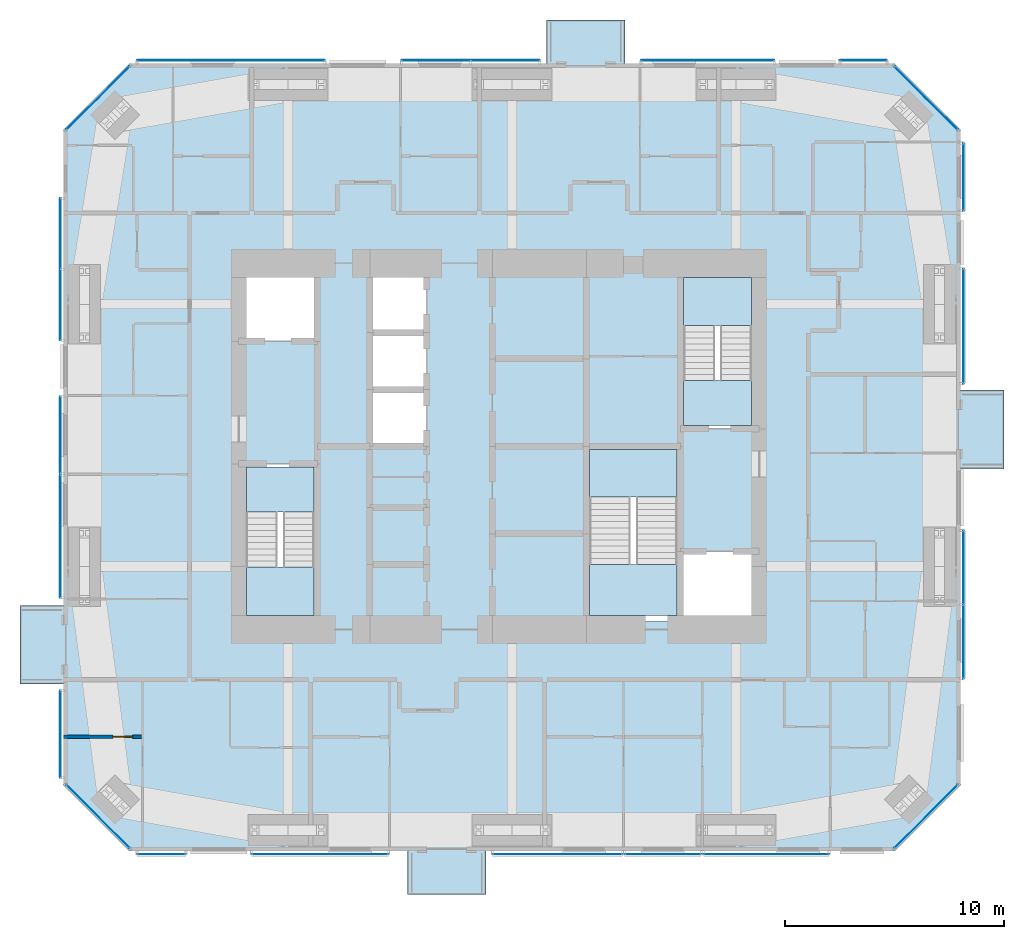
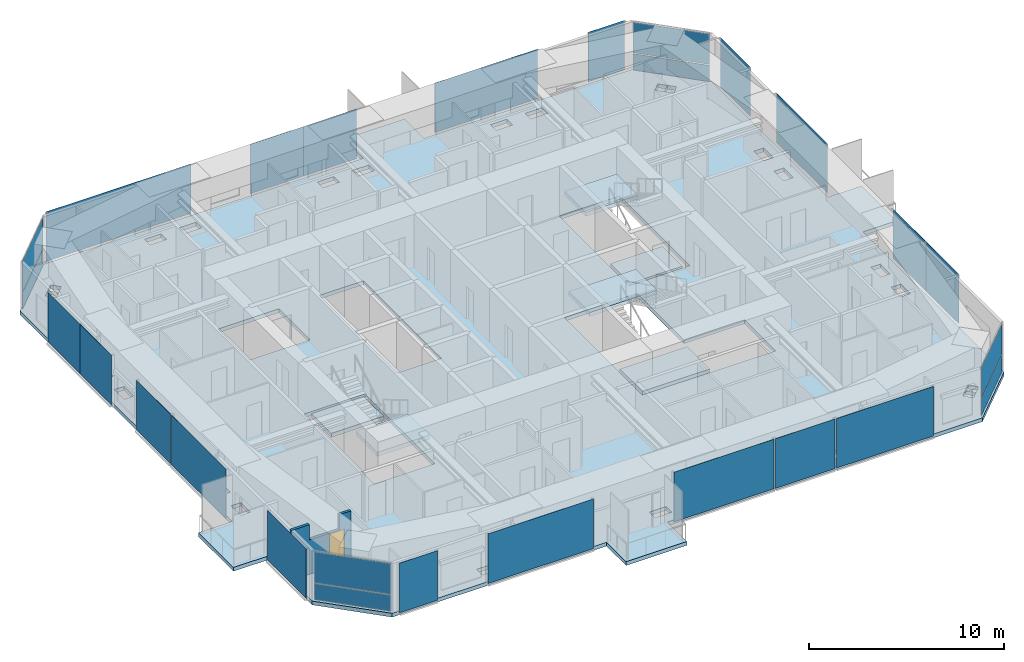
# One storey, part 15 of 23: 27 plates, 7 slabs, 1 door, 1 wall, 1 opening, 23 elements without a shape of their own.
"""IFC4 building model written with IfcOpenShell, lengths in metres."""

from ifc_helpers import new_model, si_unit, direction, frame, frame_2d, origin, origin_2d, place, context, subcontext, project, spatial, polyline, rectangle, outline, extrude, material, layer, layer_set, constituent, constituent_set, type_object, element, fill, aggregate, save


model = new_model("IFC4")

# Units and contexts
model_context = context("Model", 3, precision=1e-05, world=origin(), true_north=direction((0.0, 1.0)))
body_context = subcontext(model_context, "Body", "Model", "MODEL_VIEW")
ifc_project = project(units=[si_unit("LENGTHUNIT", "METRE"), si_unit("AREAUNIT", "SQUARE_METRE"), si_unit("VOLUMEUNIT", "CUBIC_METRE"), si_unit("PLANEANGLEUNIT", "RADIAN"), si_unit("MASSUNIT", "GRAM", prefix="KILO")], contexts=[model_context])

# Site, building, storey
site_placement = place(None, origin())
site = spatial("IfcSite", under=ifc_project, at=site_placement, CompositionType="ELEMENT")
building_placement = place(site_placement, origin())
building = spatial("IfcBuilding", under=site, at=building_placement, Name="Jalousie Tower", CompositionType="ELEMENT")
storey_placement = place(building_placement, frame((0.0, 0.0, 184.5)))
storey = spatial("IfcBuildingStorey", under=building, at=storey_placement, Name="L50", CompositionType="ELEMENT", Elevation=184.5)

# Curtain wall, plates
ifc_material_1 = material(Name="Aluminium curtain wall", Category="aluminium")
curtain_wall_type_1 = type_object("IfcCurtainWallType", Name="CORNER WINDOW WALL", PredefinedType="USERDEFINED", material=ifc_material_1)
curtain_wall_1_placement = place(storey_placement, origin())
curtain_wall_1 = element("IfcCurtainWall", 1, at=curtain_wall_1_placement, inside=storey, type_object=curtain_wall_type_1, Name="Corner Window Wall L50 2", ObjectType="CORNER WINDOW WALL", PredefinedType="USERDEFINED")
ifc_material_2 = material(Name="Laminated impact-rated spandrel glass", Category="glass")
ifc_layer_1 = layer(ifc_material_2, 0.028076171875)
ifc_layer_set_1 = layer_set([ifc_layer_1], Name="Laminated impact-rated spandrel glass")
plate_type_1 = type_object("IfcPlateType", Name="CORNER WINDOW WALL PANEL", PredefinedType="CURTAIN_PANEL", material=ifc_layer_set_1)
plate_1_placement = place(storey_placement, frame((51.4306640625, 1.5693359375, 0.06005859375), z_axis=(0.0, 0.0, 1.0), x_axis=(0.707106781187, 0.707106781187, 0.0)))
plate_1 = element("IfcPlate", 2, at=plate_1_placement, type_object=plate_type_1, Name="CW-C panel 1.1", PredefinedType="CURTAIN_PANEL", context=body_context, shape_type="SweptSolid", body=[
    extrude(rectangle(XDim=4.071533203125, YDim=0.028076171875, at=origin_2d()), origin(), (0.0, 0.0, 1.0), 1.010009765625),
])
plate_2_placement = place(storey_placement, frame((51.4306640625, 1.5693359375, 1.130126953125), z_axis=(0.0, 0.0, 1.0), x_axis=(0.707106781187, 0.707106781187, 0.0)))
plate_2 = element("IfcPlate", 3, at=plate_2_placement, type_object=plate_type_1, Name="CW-C panel 1.2", PredefinedType="CURTAIN_PANEL", context=body_context, shape_type="SweptSolid", body=[
    extrude(rectangle(XDim=4.071533203125, YDim=0.028076171875, at=origin_2d()), origin(), (0.0, 0.0, 1.0), 1.919921875),
])
aggregate(curtain_wall_1, [plate_1, plate_2])

curtain_wall_2_placement = place(storey_placement, origin())
curtain_wall_2 = element("IfcCurtainWall", 4, at=curtain_wall_2_placement, inside=storey, type_object=curtain_wall_type_1, Name="Corner Window Wall L50 4", ObjectType="CORNER WINDOW WALL", PredefinedType="USERDEFINED")
plate_3_placement = place(storey_placement, frame((51.4306640625, 34.4306640625, 0.06005859375), z_axis=(0.0, 0.0, 1.0), x_axis=(-0.707106781187, 0.707106781187, 0.0)))
plate_3 = element("IfcPlate", 5, at=plate_3_placement, type_object=plate_type_1, Name="CW-C panel 1.1", PredefinedType="CURTAIN_PANEL", context=body_context, shape_type="SweptSolid", body=[
    extrude(rectangle(XDim=4.071533203125, YDim=0.028076171875, at=origin_2d()), origin(), (0.0, 0.0, 1.0), 1.010009765625),
])
plate_4_placement = place(storey_placement, frame((51.4306640625, 34.4306640625, 1.130126953125), z_axis=(0.0, 0.0, 1.0), x_axis=(-0.707106781187, 0.707106781187, 0.0)))
plate_4 = element("IfcPlate", 6, at=plate_4_placement, type_object=plate_type_1, Name="CW-C panel 1.2", PredefinedType="CURTAIN_PANEL", context=body_context, shape_type="SweptSolid", body=[
    extrude(rectangle(XDim=4.071533203125, YDim=0.028076171875, at=origin_2d()), origin(), (0.0, 0.0, 1.0), 1.919921875),
])
aggregate(curtain_wall_2, [plate_3, plate_4])

curtain_wall_3_placement = place(storey_placement, origin())
curtain_wall_3 = element("IfcCurtainWall", 7, at=curtain_wall_3_placement, inside=storey, type_object=curtain_wall_type_1, Name="Corner Window Wall L50 6", ObjectType="CORNER WINDOW WALL", PredefinedType="USERDEFINED")
plate_5_placement = place(storey_placement, frame((13.5693359375, 34.4306640625, 0.06005859375), z_axis=(0.0, 0.0, 1.0), x_axis=(-0.707106781187, -0.707106781187, 0.0)))
plate_5 = element("IfcPlate", 8, at=plate_5_placement, type_object=plate_type_1, Name="CW-C panel 1.1", PredefinedType="CURTAIN_PANEL", context=body_context, shape_type="SweptSolid", body=[
    extrude(rectangle(XDim=4.071533203125, YDim=0.028076171875, at=origin_2d()), origin(), (0.0, 0.0, 1.0), 1.010009765625),
])
plate_6_placement = place(storey_placement, frame((13.5693359375, 34.4306640625, 1.130126953125), z_axis=(0.0, 0.0, 1.0), x_axis=(-0.707106781187, -0.707106781187, 0.0)))
plate_6 = element("IfcPlate", 9, at=plate_6_placement, type_object=plate_type_1, Name="CW-C panel 1.2", PredefinedType="CURTAIN_PANEL", context=body_context, shape_type="SweptSolid", body=[
    extrude(rectangle(XDim=4.071533203125, YDim=0.028076171875, at=origin_2d()), origin(), (0.0, 0.0, 1.0), 1.919921875),
])
aggregate(curtain_wall_3, [plate_5, plate_6])

curtain_wall_4_placement = place(storey_placement, origin())
curtain_wall_4 = element("IfcCurtainWall", 10, at=curtain_wall_4_placement, inside=storey, type_object=curtain_wall_type_1, Name="Corner Window Wall L50 8", ObjectType="CORNER WINDOW WALL", PredefinedType="USERDEFINED")
plate_7_placement = place(storey_placement, frame((13.5693359375, 1.5693359375, 0.06005859375), z_axis=(0.0, 0.0, 1.0), x_axis=(0.707106781187, -0.707106781187, 0.0)))
plate_7 = element("IfcPlate", 11, at=plate_7_placement, type_object=plate_type_1, Name="CW-C panel 1.1", PredefinedType="CURTAIN_PANEL", context=body_context, shape_type="SweptSolid", body=[
    extrude(rectangle(XDim=4.071533203125, YDim=0.028076171875, at=origin_2d()), origin(), (0.0, 0.0, 1.0), 1.010009765625),
])
plate_8_placement = place(storey_placement, frame((13.5693359375, 1.5693359375, 1.130126953125), z_axis=(0.0, 0.0, 1.0), x_axis=(0.707106781187, -0.707106781187, 0.0)))
plate_8 = element("IfcPlate", 12, at=plate_8_placement, type_object=plate_type_1, Name="CW-C panel 1.2", PredefinedType="CURTAIN_PANEL", context=body_context, shape_type="SweptSolid", body=[
    extrude(rectangle(XDim=4.071533203125, YDim=0.028076171875, at=origin_2d()), origin(), (0.0, 0.0, 1.0), 1.919921875),
])
aggregate(curtain_wall_4, [plate_7, plate_8])

# Slab
ifc_material_3 = material(Name="Concrete f'c 40 MPa", Category="concrete")
ifc_layer_2 = layer(ifc_material_3, 0.239990234375)
ifc_layer_set_2 = layer_set([ifc_layer_2], Name="Concrete f'c 40 MPa")
slab_type_1 = type_object("IfcSlabType", Name="FLOOR SLAB 240", PredefinedType="FLOOR", material=ifc_layer_set_2)
slab_1_placement = place(storey_placement, frame((0.0, 0.0, -0.239990234375)))
element("IfcSlab", 13, at=slab_1_placement, inside=storey, type_object=slab_type_1, Name="L50 floor slab", PredefinedType="FLOOR", context=body_context, shape_type="SweptSolid", body=[
    extrude(outline(polyline([(34.074951171875, 36.0), (34.074951171875, 38.0), (37.675048828125, 38.0), (37.675048828125, 36.0), (50.0, 36.0), (53.0, 33.0), (53.0, 21.074951171875), (55.0, 21.074951171875), (55.0, 17.47509765625), (53.0, 17.47509765625), (53.0, 3.0), (50.0, 0.0), (31.3125, 0.0), (31.3125, -2.0), (27.71240234375, -2.0), (27.71240234375, 0.0), (15.0, 0.0), (12.0, 3.0), (12.0, 7.625), (10.0, 7.625), (10.0, 11.22509765625), (12.0, 11.22509765625), (12.0, 33.0), (15.0, 36.0), (34.074951171875, 36.0)]), holes=[polyline([(52.336181640625, 25.54150390625), (52.336181640625, 26.52490234375), (51.763916015625, 26.52490234375), (51.763916015625, 25.54150390625), (52.336181640625, 25.54150390625)]), polyline([(51.763916015625, 23.47509765625), (52.336181640625, 23.47509765625), (52.336181640625, 24.45849609375), (51.763916015625, 24.45849609375), (51.763916015625, 23.47509765625)]), polyline([(51.763916015625, 13.54150390625), (52.336181640625, 13.54150390625), (52.336181640625, 14.52490234375), (51.763916015625, 14.52490234375), (51.763916015625, 13.54150390625)]), polyline([(51.763916015625, 11.47509765625), (52.336181640625, 11.47509765625), (52.336181640625, 12.45849609375), (51.763916015625, 12.45849609375), (51.763916015625, 11.47509765625)]), polyline([(50.856689453125, 33.851318359375), (50.451904296875, 33.446533203125), (50.802490234375, 33.095703125), (51.20751953125, 33.500244140625), (50.856689453125, 33.851318359375)]), polyline([(50.802490234375, 2.904296875), (50.451904296875, 2.553466796875), (50.856689453125, 2.148681640625), (51.20751953125, 2.499755859375), (50.802490234375, 2.904296875)]), polyline([(50.446533203125, 33.451904296875), (50.851318359375, 33.856689453125), (50.500244140625, 34.20751953125), (50.095703125, 33.802490234375), (50.446533203125, 33.451904296875)]), polyline([(50.095703125, 2.197509765625), (50.500244140625, 1.79248046875), (50.851318359375, 2.143310546875), (50.446533203125, 2.548095703125), (50.095703125, 2.197509765625)]), polyline([(44.27490234375, 35.336181640625), (43.29150390625, 35.336181640625), (43.29150390625, 34.763916015625), (44.27490234375, 34.763916015625), (44.27490234375, 35.336181640625)]), polyline([(44.27490234375, 1.236083984375), (43.29150390625, 1.236083984375), (43.29150390625, 0.663818359375), (44.27490234375, 0.663818359375), (44.27490234375, 1.236083984375)]), polyline([(40.199951171875, 19.300048828125), (43.800048828125, 19.300048828125), (43.800048828125, 26.5), (40.199951171875, 26.5), (40.199951171875, 19.300048828125)]), polyline([(35.89990234375, 18.5), (35.89990234375, 10.5), (43.800048828125, 10.5), (43.800048828125, 13.699951171875), (40.199951171875, 13.699951171875), (40.199951171875, 18.5), (35.89990234375, 18.5)]), polyline([(42.20849609375, 34.763916015625), (42.20849609375, 35.336181640625), (41.22509765625, 35.336181640625), (41.22509765625, 34.763916015625), (42.20849609375, 34.763916015625)]), polyline([(41.22509765625, 0.663818359375), (42.20849609375, 0.663818359375), (42.20849609375, 1.236083984375), (41.22509765625, 1.236083984375), (41.22509765625, 0.663818359375)]), polyline([(33.04150390625, 35.336181640625), (33.04150390625, 34.763916015625), (34.02490234375, 34.763916015625), (34.02490234375, 35.336181640625), (33.04150390625, 35.336181640625)]), polyline([(33.04150390625, 1.236083984375), (33.04150390625, 0.663818359375), (34.02490234375, 0.663818359375), (34.02490234375, 1.236083984375), (33.04150390625, 1.236083984375)]), polyline([(31.95849609375, 34.763916015625), (31.95849609375, 35.336181640625), (30.97509765625, 35.336181640625), (30.97509765625, 34.763916015625), (31.95849609375, 34.763916015625)]), polyline([(31.95849609375, 0.663818359375), (31.95849609375, 1.236083984375), (30.97509765625, 1.236083984375), (30.97509765625, 0.663818359375), (31.95849609375, 0.663818359375)]), polyline([(28.60009765625, 18.5), (28.60009765625, 26.5), (26.0, 26.5), (26.0, 18.5), (28.60009765625, 18.5)]), polyline([(22.79150390625, 1.236083984375), (22.79150390625, 0.663818359375), (23.77490234375, 0.663818359375), (23.77490234375, 1.236083984375), (22.79150390625, 1.236083984375)]), polyline([(23.77490234375, 34.763916015625), (23.77490234375, 35.336181640625), (22.79150390625, 35.336181640625), (22.79150390625, 34.763916015625), (23.77490234375, 34.763916015625)]), polyline([(20.0, 23.300048828125), (23.60009765625, 23.300048828125), (23.60009765625, 26.5), (20.0, 26.5), (20.0, 23.300048828125)]), polyline([(20.0, 10.5), (23.60009765625, 10.5), (23.60009765625, 17.699951171875), (20.0, 17.699951171875), (20.0, 10.5)]), polyline([(20.72509765625, 35.336181640625), (20.72509765625, 34.763916015625), (21.70849609375, 34.763916015625), (21.70849609375, 35.336181640625), (20.72509765625, 35.336181640625)]), polyline([(20.72509765625, 1.236083984375), (20.72509765625, 0.663818359375), (21.70849609375, 0.663818359375), (21.70849609375, 1.236083984375), (20.72509765625, 1.236083984375)]), polyline([(14.904296875, 33.802490234375), (14.499755859375, 34.20751953125), (14.148681640625, 33.856689453125), (14.553466796875, 33.451904296875), (14.904296875, 33.802490234375)]), polyline([(14.148681640625, 2.143310546875), (14.499755859375, 1.79248046875), (14.904296875, 2.197509765625), (14.553466796875, 2.548095703125), (14.148681640625, 2.143310546875)]), polyline([(14.197509765625, 2.904296875), (13.79248046875, 2.499755859375), (14.143310546875, 2.148681640625), (14.548095703125, 2.553466796875), (14.197509765625, 2.904296875)]), polyline([(13.79248046875, 33.500244140625), (14.197509765625, 33.095703125), (14.548095703125, 33.446533203125), (14.143310546875, 33.851318359375), (13.79248046875, 33.500244140625)]), polyline([(12.663818359375, 11.47509765625), (13.236083984375, 11.47509765625), (13.236083984375, 12.45849609375), (12.663818359375, 12.45849609375), (12.663818359375, 11.47509765625)]), polyline([(13.236083984375, 24.45849609375), (12.663818359375, 24.45849609375), (12.663818359375, 23.47509765625), (13.236083984375, 23.47509765625), (13.236083984375, 24.45849609375)]), polyline([(12.663818359375, 25.54150390625), (13.236083984375, 25.54150390625), (13.236083984375, 26.52490234375), (12.663818359375, 26.52490234375), (12.663818359375, 25.54150390625)]), polyline([(13.236083984375, 13.54150390625), (13.236083984375, 14.52490234375), (12.663818359375, 14.52490234375), (12.663818359375, 13.54150390625), (13.236083984375, 13.54150390625)])]), origin(), (0.0, 0.0, 1.0), 0.239990234375),
])

# Curtain wall, plate
ifc_material_4 = material(Name="Perforated aluminium sheet", Category="aluminium")
curtain_wall_type_2 = type_object("IfcCurtainWallType", Name="SOLAR SCREEN SS-1", PredefinedType="USERDEFINED", material=ifc_material_4)
curtain_wall_5_placement = place(storey_placement, origin())
curtain_wall_5 = element("IfcCurtainWall", 14, at=curtain_wall_5_placement, inside=storey, type_object=curtain_wall_type_2, Name="Solar screen L50", ObjectType="SOLAR SCREEN SS-1", PredefinedType="USERDEFINED")
ifc_material_5 = material(Name="Perforated aluminium sheet", Category="aluminium")
ifc_layer_3 = layer(ifc_material_5, 0.006103515625)
ifc_layer_set_3 = layer_set([ifc_layer_3], Name="Perforated aluminium sheet")
plate_type_2 = type_object("IfcPlateType", Name="SOLAR SCREEN SS-1 PANEL", PredefinedType="CURTAIN_PANEL", material=ifc_layer_set_3)
plate_9_placement = place(storey_placement, frame((16.47119140625, -0.150390625, 0.0), z_axis=(0.0, 0.0, 1.0), x_axis=(1.0, 0.0, 0.0)))
plate_9 = element("IfcPlate", 15, at=plate_9_placement, type_object=plate_type_2, Name="SS1 perforated panel 1", PredefinedType="CURTAIN_PANEL", context=body_context, shape_type="SweptSolid", body=[
    extrude(rectangle(XDim=2.239990234375, YDim=0.006103515625, at=origin_2d()), origin(), (0.0, 0.0, 1.0), 3.110107421875),
])
aggregate(curtain_wall_5, [plate_9])

curtain_wall_6_placement = place(storey_placement, origin())
curtain_wall_6 = element("IfcCurtainWall", 16, at=curtain_wall_6_placement, inside=storey, type_object=curtain_wall_type_2, Name="Solar screen L50", ObjectType="SOLAR SCREEN SS-1", PredefinedType="USERDEFINED")
plate_10_placement = place(storey_placement, frame((23.720703125, -0.150390625, 0.0), z_axis=(0.0, 0.0, 1.0), x_axis=(1.0, 0.0, 0.0)))
plate_10 = element("IfcPlate", 17, at=plate_10_placement, type_object=plate_type_2, Name="SS1 perforated panel 1", PredefinedType="CURTAIN_PANEL", context=body_context, shape_type="SweptSolid", body=[
    extrude(rectangle(XDim=6.2587890625, YDim=0.006103515625, at=origin_2d()), origin(), (0.0, 0.0, 1.0), 3.110107421875),
])
aggregate(curtain_wall_6, [plate_10])

curtain_wall_7_placement = place(storey_placement, origin())
curtain_wall_7 = element("IfcCurtainWall", 18, at=curtain_wall_7_placement, inside=storey, type_object=curtain_wall_type_2, Name="Solar screen L50", ObjectType="SOLAR SCREEN SS-1", PredefinedType="USERDEFINED")
plate_11_placement = place(storey_placement, frame((34.581298828125, -0.150390625, 0.0), z_axis=(0.0, 0.0, 1.0), x_axis=(1.0, 0.0, 0.0)))
plate_11 = element("IfcPlate", 19, at=plate_11_placement, type_object=plate_type_2, Name="SS1 perforated panel 1", PredefinedType="CURTAIN_PANEL", context=body_context, shape_type="SweptSolid", body=[
    extrude(rectangle(XDim=5.9375, YDim=0.006103515625, at=origin_2d()), origin(), (0.0, 0.0, 1.0), 3.110107421875),
])
aggregate(curtain_wall_7, [plate_11])

curtain_wall_8_placement = place(storey_placement, origin())
curtain_wall_8 = element("IfcCurtainWall", 20, at=curtain_wall_8_placement, inside=storey, type_object=curtain_wall_type_2, Name="Solar screen L50", ObjectType="SOLAR SCREEN SS-1", PredefinedType="USERDEFINED")
plate_12_placement = place(storey_placement, frame((39.39990234375, -0.150390625, 0.0), z_axis=(0.0, 0.0, 1.0), x_axis=(1.0, 0.0, 0.0)))
plate_12 = element("IfcPlate", 21, at=plate_12_placement, type_object=plate_type_2, Name="SS1 perforated panel 1", PredefinedType="CURTAIN_PANEL", context=body_context, shape_type="SweptSolid", body=[
    extrude(rectangle(XDim=3.5, YDim=0.006103515625, at=origin_2d()), origin(), (0.0, 0.0, 1.0), 3.110107421875),
])
aggregate(curtain_wall_8, [plate_12])

curtain_wall_9_placement = place(storey_placement, origin())
curtain_wall_9 = element("IfcCurtainWall", 22, at=curtain_wall_9_placement, inside=storey, type_object=curtain_wall_type_2, Name="Solar screen L50", ObjectType="SOLAR SCREEN SS-1", PredefinedType="USERDEFINED")
plate_13_placement = place(storey_placement, frame((44.125, -0.150390625, 0.0), z_axis=(0.0, 0.0, 1.0), x_axis=(1.0, 0.0, 0.0)))
plate_13 = element("IfcPlate", 23, at=plate_13_placement, type_object=plate_type_2, Name="SS1 perforated panel 1", PredefinedType="CURTAIN_PANEL", context=body_context, shape_type="SweptSolid", body=[
    extrude(rectangle(XDim=5.75, YDim=0.006103515625, at=origin_2d()), origin(), (0.0, 0.0, 1.0), 3.110107421875),
])
aggregate(curtain_wall_9, [plate_13])

# Curtain wall, plates
curtain_wall_10_placement = place(storey_placement, origin())
curtain_wall_10 = element("IfcCurtainWall", 24, at=curtain_wall_10_placement, inside=storey, type_object=curtain_wall_type_2, Name="Solar screen L50", ObjectType="SOLAR SCREEN SS-1", PredefinedType="USERDEFINED")
plate_14_placement = place(storey_placement, frame((53.150390625, 9.569580078125, 0.0), z_axis=(0.0, 0.0, 1.0), x_axis=(0.0, 1.0, 0.0)))
plate_14 = element("IfcPlate", 25, at=plate_14_placement, type_object=plate_type_2, Name="SS1 perforated panel 1", PredefinedType="CURTAIN_PANEL", context=body_context, shape_type="SweptSolid", body=[
    extrude(rectangle(XDim=3.38916015625, YDim=0.006103515625, at=origin_2d()), origin(), (0.0, 0.0, 1.0), 3.110107421875),
])
plate_15_placement = place(storey_placement, frame((53.150390625, 12.958740234375, 0.0), z_axis=(0.0, 0.0, 1.0), x_axis=(0.0, 1.0, 0.0)))
plate_15 = element("IfcPlate", 26, at=plate_15_placement, type_object=plate_type_2, Name="SS1 perforated panel 2", PredefinedType="CURTAIN_PANEL", context=body_context, shape_type="SweptSolid", body=[
    extrude(rectangle(XDim=3.38916015625, YDim=0.006103515625, at=origin_2d()), origin(), (0.0, 0.0, 1.0), 3.110107421875),
])
aggregate(curtain_wall_10, [plate_14, plate_15])

# Curtain wall, plate
curtain_wall_11_placement = place(storey_placement, origin())
curtain_wall_11 = element("IfcCurtainWall", 27, at=curtain_wall_11_placement, inside=storey, type_object=curtain_wall_type_2, Name="Solar screen L50", ObjectType="SOLAR SCREEN SS-1", PredefinedType="USERDEFINED")
plate_16_placement = place(storey_placement, frame((53.150390625, 24.0, 0.0), z_axis=(0.0, 0.0, 1.0), x_axis=(0.0, 1.0, 0.0)))
plate_16 = element("IfcPlate", 28, at=plate_16_placement, type_object=plate_type_2, Name="SS1 perforated panel 1", PredefinedType="CURTAIN_PANEL", context=body_context, shape_type="SweptSolid", body=[
    extrude(rectangle(XDim=5.25, YDim=0.006103515625, at=origin_2d()), origin(), (0.0, 0.0, 1.0), 3.110107421875),
])
aggregate(curtain_wall_11, [plate_16])

curtain_wall_12_placement = place(storey_placement, origin())
curtain_wall_12 = element("IfcCurtainWall", 29, at=curtain_wall_12_placement, inside=storey, type_object=curtain_wall_type_2, Name="Solar screen L50", ObjectType="SOLAR SCREEN SS-1", PredefinedType="USERDEFINED")
plate_17_placement = place(storey_placement, frame((53.150390625, 30.822509765625, 0.0), z_axis=(0.0, 0.0, 1.0), x_axis=(0.0, 1.0, 0.0)))
plate_17 = element("IfcPlate", 30, at=plate_17_placement, type_object=plate_type_2, Name="SS1 perforated panel 1", PredefinedType="CURTAIN_PANEL", context=body_context, shape_type="SweptSolid", body=[
    extrude(rectangle(XDim=3.09521484375, YDim=0.006103515625, at=origin_2d()), origin(), (0.0, 0.0, 1.0), 3.110107421875),
])
aggregate(curtain_wall_12, [plate_17])

curtain_wall_13_placement = place(storey_placement, origin())
curtain_wall_13 = element("IfcCurtainWall", 31, at=curtain_wall_13_placement, inside=storey, type_object=curtain_wall_type_2, Name="Solar screen L50", ObjectType="SOLAR SCREEN SS-1", PredefinedType="USERDEFINED")
plate_18_placement = place(storey_placement, frame((48.573974609375, 36.150390625, 0.0), z_axis=(0.0, 0.0, 1.0), x_axis=(-1.0, 0.0, 0.0)))
plate_18 = element("IfcPlate", 32, at=plate_18_placement, type_object=plate_type_2, Name="SS1 perforated panel 1", PredefinedType="CURTAIN_PANEL", context=body_context, shape_type="SweptSolid", body=[
    extrude(rectangle(XDim=2.1494140625, YDim=0.006103515625, at=origin_2d()), origin(), (0.0, 0.0, 1.0), 3.110107421875),
])
aggregate(curtain_wall_13, [plate_18])

curtain_wall_14_placement = place(storey_placement, origin())
curtain_wall_14 = element("IfcCurtainWall", 33, at=curtain_wall_14_placement, inside=storey, type_object=curtain_wall_type_2, Name="Solar screen L50", ObjectType="SOLAR SCREEN SS-1", PredefinedType="USERDEFINED")
plate_19_placement = place(storey_placement, frame((41.44970703125, 36.150390625, 0.0), z_axis=(0.0, 0.0, 1.0), x_axis=(-1.0, 0.0, 0.0)))
plate_19 = element("IfcPlate", 34, at=plate_19_placement, type_object=plate_type_2, Name="SS1 perforated panel 1", PredefinedType="CURTAIN_PANEL", context=body_context, shape_type="SweptSolid", body=[
    extrude(rectangle(XDim=6.099365234375, YDim=0.006103515625, at=origin_2d()), origin(), (0.0, 0.0, 1.0), 3.110107421875),
])
aggregate(curtain_wall_14, [plate_19])

# Curtain wall, plates
curtain_wall_15_placement = place(storey_placement, origin())
curtain_wall_15 = element("IfcCurtainWall", 35, at=curtain_wall_15_placement, inside=storey, type_object=curtain_wall_type_2, Name="Solar screen L50", ObjectType="SOLAR SCREEN SS-1", PredefinedType="USERDEFINED")
plate_20_placement = place(storey_placement, frame((32.19384765625, 36.150390625, 0.0), z_axis=(0.0, 0.0, 1.0), x_axis=(-1.0, 0.0, 0.0)))
plate_20 = element("IfcPlate", 36, at=plate_20_placement, type_object=plate_type_2, Name="SS1 perforated panel 1", PredefinedType="CURTAIN_PANEL", context=body_context, shape_type="SweptSolid", body=[
    extrude(rectangle(XDim=3.16259765625, YDim=0.006103515625, at=origin_2d()), origin(), (0.0, 0.0, 1.0), 3.110107421875),
])
plate_21_placement = place(storey_placement, frame((29.03125, 36.150390625, 0.0), z_axis=(0.0, 0.0, 1.0), x_axis=(-1.0, 0.0, 0.0)))
plate_21 = element("IfcPlate", 37, at=plate_21_placement, type_object=plate_type_2, Name="SS1 perforated panel 2", PredefinedType="CURTAIN_PANEL", context=body_context, shape_type="SweptSolid", body=[
    extrude(rectangle(XDim=3.16259765625, YDim=0.006103515625, at=origin_2d()), origin(), (0.0, 0.0, 1.0), 3.110107421875),
])
aggregate(curtain_wall_15, [plate_20, plate_21])

# Curtain wall, plate
curtain_wall_16_placement = place(storey_placement, origin())
curtain_wall_16 = element("IfcCurtainWall", 38, at=curtain_wall_16_placement, inside=storey, type_object=curtain_wall_type_2, Name="Solar screen L50", ObjectType="SOLAR SCREEN SS-1", PredefinedType="USERDEFINED")
plate_22_placement = place(storey_placement, frame((19.648193359375, 36.150390625, 0.0), z_axis=(0.0, 0.0, 1.0), x_axis=(-1.0, 0.0, 0.0)))
plate_22 = element("IfcPlate", 39, at=plate_22_placement, type_object=plate_type_2, Name="SS1 perforated panel 1", PredefinedType="CURTAIN_PANEL", context=body_context, shape_type="SweptSolid", body=[
    extrude(rectangle(XDim=8.59375, YDim=0.006103515625, at=origin_2d()), origin(), (0.0, 0.0, 1.0), 3.110107421875),
])
aggregate(curtain_wall_16, [plate_22])

# Curtain wall, plates
curtain_wall_17_placement = place(storey_placement, origin())
curtain_wall_17 = element("IfcCurtainWall", 40, at=curtain_wall_17_placement, inside=storey, type_object=curtain_wall_type_2, Name="Solar screen L50", ObjectType="SOLAR SCREEN SS-1", PredefinedType="USERDEFINED")
plate_23_placement = place(storey_placement, frame((11.849609375, 28.22509765625, 0.0), z_axis=(0.0, 0.0, 1.0), x_axis=(0.0, -1.0, 0.0)))
plate_23 = element("IfcPlate", 41, at=plate_23_placement, type_object=plate_type_2, Name="SS1 perforated panel 1", PredefinedType="CURTAIN_PANEL", context=body_context, shape_type="SweptSolid", body=[
    extrude(rectangle(XDim=3.25, YDim=0.006103515625, at=origin_2d()), origin(), (0.0, 0.0, 1.0), 3.110107421875),
])
plate_24_placement = place(storey_placement, frame((11.849609375, 24.97509765625, 0.0), z_axis=(0.0, 0.0, 1.0), x_axis=(0.0, -1.0, 0.0)))
plate_24 = element("IfcPlate", 42, at=plate_24_placement, type_object=plate_type_2, Name="SS1 perforated panel 2", PredefinedType="CURTAIN_PANEL", context=body_context, shape_type="SweptSolid", body=[
    extrude(rectangle(XDim=3.25, YDim=0.006103515625, at=origin_2d()), origin(), (0.0, 0.0, 1.0), 3.110107421875),
])
aggregate(curtain_wall_17, [plate_23, plate_24])

# Curtain wall, plate
curtain_wall_18_placement = place(storey_placement, origin())
curtain_wall_18 = element("IfcCurtainWall", 43, at=curtain_wall_18_placement, inside=storey, type_object=curtain_wall_type_2, Name="Solar screen L50", ObjectType="SOLAR SCREEN SS-1", PredefinedType="USERDEFINED")
plate_25_placement = place(storey_placement, frame((11.849609375, 19.02490234375, 0.0), z_axis=(0.0, 0.0, 1.0), x_axis=(0.0, -1.0, 0.0)))
plate_25 = element("IfcPlate", 44, at=plate_25_placement, type_object=plate_type_2, Name="SS1 perforated panel 1", PredefinedType="CURTAIN_PANEL", context=body_context, shape_type="SweptSolid", body=[
    extrude(rectangle(XDim=3.5, YDim=0.006103515625, at=origin_2d()), origin(), (0.0, 0.0, 1.0), 3.110107421875),
])
aggregate(curtain_wall_18, [plate_25])

curtain_wall_19_placement = place(storey_placement, origin())
curtain_wall_19 = element("IfcCurtainWall", 45, at=curtain_wall_19_placement, inside=storey, type_object=curtain_wall_type_2, Name="Solar screen L50", ObjectType="SOLAR SCREEN SS-1", PredefinedType="USERDEFINED")
plate_26_placement = place(storey_placement, frame((11.849609375, 14.375, 0.0), z_axis=(0.0, 0.0, 1.0), x_axis=(0.0, -1.0, 0.0)))
plate_26 = element("IfcPlate", 46, at=plate_26_placement, type_object=plate_type_2, Name="SS1 perforated panel 1", PredefinedType="CURTAIN_PANEL", context=body_context, shape_type="SweptSolid", body=[
    extrude(rectangle(XDim=5.60009765625, YDim=0.006103515625, at=origin_2d()), origin(), (0.0, 0.0, 1.0), 3.110107421875),
])
aggregate(curtain_wall_19, [plate_26])

curtain_wall_20_placement = place(storey_placement, origin())
curtain_wall_20 = element("IfcCurtainWall", 47, at=curtain_wall_20_placement, inside=storey, type_object=curtain_wall_type_2, Name="Solar screen L50", ObjectType="SOLAR SCREEN SS-1", PredefinedType="USERDEFINED")
plate_27_placement = place(storey_placement, frame((11.849609375, 5.338134765625, 0.0), z_axis=(0.0, 0.0, 1.0), x_axis=(0.0, -1.0, 0.0)))
plate_27 = element("IfcPlate", 48, at=plate_27_placement, type_object=plate_type_2, Name="SS1 perforated panel 1", PredefinedType="CURTAIN_PANEL", context=body_context, shape_type="SweptSolid", body=[
    extrude(rectangle(XDim=3.9736328125, YDim=0.006103515625, at=origin_2d()), origin(), (0.0, 0.0, 1.0), 3.110107421875),
])
aggregate(curtain_wall_20, [plate_27])

# Stair, slabs
ifc_material_6 = material(Name="Concrete f'c 40 MPa", Category="concrete")
stair_type = type_object("IfcStairType", Name="EXIT STAIR", PredefinedType="HALF_TURN_STAIR", material=ifc_material_6)
stair_1_placement = place(storey_placement, origin())
stair_1 = element("IfcStair", 49, at=stair_1_placement, inside=storey, type_object=stair_type, Name="Exit stair A L50", PredefinedType="HALF_TURN_STAIR")
ifc_material_7 = material(Name="Concrete f'c 40 MPa", Category="concrete")
ifc_layer_4 = layer(ifc_material_7, 0.25)
ifc_layer_set_4 = layer_set([ifc_layer_4], Name="Concrete f'c 40 MPa")
slab_type_2 = type_object("IfcSlabType", Name="STAIR LANDING 250", PredefinedType="LANDING", material=ifc_layer_set_4)
slab_2_placement = place(storey_placement, frame((0.0, 0.0, -0.25)))
slab_2 = element("IfcSlab", 50, at=slab_2_placement, type_object=slab_type_2, Name="ST-A landing 1", PredefinedType="LANDING", context=body_context, shape_type="SweptSolid", body=[
    extrude(outline(polyline([(20.35009765625, 15.49755859375), (23.449951171875, 15.49755859375), (23.449951171875, 17.550048828125), (20.35009765625, 17.550048828125), (20.35009765625, 15.49755859375)])), origin(), (0.0, 0.0, 1.0), 0.25),
])
slab_3_placement = place(storey_placement, frame((0.0, 0.0, 1.425048828125)))
slab_3 = element("IfcSlab", 51, at=slab_3_placement, type_object=slab_type_2, Name="ST-A landing 2", PredefinedType="LANDING", context=body_context, shape_type="SweptSolid", body=[
    extrude(outline(polyline([(20.35009765625, 10.77490234375), (23.449951171875, 10.77490234375), (23.449951171875, 12.9775390625), (20.35009765625, 12.9775390625), (20.35009765625, 10.77490234375)])), origin(), (0.0, 0.0, 1.0), 0.25),
])
aggregate(stair_1, [slab_2, slab_3])

stair_2_placement = place(storey_placement, origin())
stair_2 = element("IfcStair", 52, at=stair_2_placement, inside=storey, type_object=stair_type, Name="Exit stair B L50", PredefinedType="HALF_TURN_STAIR")
slab_4_placement = place(storey_placement, frame((0.0, 0.0, -0.25)))
slab_4 = element("IfcSlab", 53, at=slab_4_placement, type_object=slab_type_2, Name="ST-B landing 1", PredefinedType="LANDING", context=body_context, shape_type="SweptSolid", body=[
    extrude(outline(polyline([(40.35009765625, 19.449951171875), (43.449951171875, 19.449951171875), (43.449951171875, 21.50244140625), (40.35009765625, 21.50244140625), (40.35009765625, 19.449951171875)])), origin(), (0.0, 0.0, 1.0), 0.25),
])
slab_5_placement = place(storey_placement, frame((0.0, 0.0, 1.425048828125)))
slab_5 = element("IfcSlab", 54, at=slab_5_placement, type_object=slab_type_2, Name="ST-B landing 2", PredefinedType="LANDING", context=body_context, shape_type="SweptSolid", body=[
    extrude(outline(polyline([(40.35009765625, 24.0224609375), (43.449951171875, 24.0224609375), (43.449951171875, 26.22509765625), (40.35009765625, 26.22509765625), (40.35009765625, 24.0224609375)])), origin(), (0.0, 0.0, 1.0), 0.25),
])
aggregate(stair_2, [slab_4, slab_5])

stair_3_placement = place(storey_placement, origin())
stair_3 = element("IfcStair", 55, at=stair_3_placement, inside=storey, type_object=stair_type, Name="Exit stair C L50", PredefinedType="HALF_TURN_STAIR")
slab_6_placement = place(storey_placement, frame((0.0, 0.0, -0.25)))
slab_6 = element("IfcSlab", 56, at=slab_6_placement, type_object=slab_type_2, Name="ST-C landing 1", PredefinedType="LANDING", context=body_context, shape_type="SweptSolid", body=[
    extrude(outline(polyline([(36.050048828125, 10.77490234375), (40.050048828125, 10.77490234375), (40.050048828125, 13.097412109375), (36.050048828125, 13.097412109375), (36.050048828125, 10.77490234375)])), origin(), (0.0, 0.0, 1.0), 0.25),
])
slab_7_placement = place(storey_placement, frame((0.0, 0.0, 1.425048828125)))
slab_7 = element("IfcSlab", 57, at=slab_7_placement, type_object=slab_type_2, Name="ST-C landing 2", PredefinedType="LANDING", context=body_context, shape_type="SweptSolid", body=[
    extrude(outline(polyline([(36.050048828125, 16.177490234375), (40.050048828125, 16.177490234375), (40.050048828125, 18.35009765625), (36.050048828125, 18.35009765625), (36.050048828125, 16.177490234375)])), origin(), (0.0, 0.0, 1.0), 0.25),
])
aggregate(stair_3, [slab_6, slab_7])

# Wall, opening, door
ifc_material_8 = material(Name="Concrete block ASTM C90", Category="concrete")
ifc_constituent_1 = constituent(ifc_material_8, Name="Body")
ifc_material_9 = material(Name="Render")
ifc_constituent_2 = constituent(ifc_material_9, Name="Finish")
ifc_constituent_set = constituent_set(constituents=[ifc_constituent_1, ifc_constituent_2])
wall_type = type_object("IfcWallType", Name="BATHROOM WALL 150", PredefinedType="PLUMBINGWALL", material=ifc_constituent_set)
wall_placement = place(storey_placement, frame((12.0, 5.22509765625, 0.0), z_axis=(0.0, 0.0, 1.0), x_axis=(1.0, 0.0, 0.0)))
wall = element("IfcWall", 58, at=wall_placement, inside=storey, type_object=wall_type, Name="Bathroom Wall 150 L50", PredefinedType="PLUMBINGWALL", context=body_context, shape_type="SweptSolid", body=[
    extrude(outline(polyline([(0.0, 0.0), (3.550048828125, 0.0), (3.550048828125, 3.110107421875), (2.86328125, 3.110107421875), (2.86328125, 2.14990234375), (1.078125, 2.14990234375), (1.078125, 3.110107421875), (0.0, 3.110107421875), (0.0, 0.0)])), frame((0.0, 0.074951171875, 0.0), z_axis=(0.0, -1.0, 0.0), x_axis=(1.0, 0.0, 0.0)), (0.0, 0.0, 1.0), 0.14990234375),
])
opening_placement = place(wall_placement, frame((2.25, 0.0, 0.0)))
opening = element("IfcOpeningElement", 59, at=opening_placement, cuts=wall, Name="Opening D3", PredefinedType="OPENING", context=body_context, shape_type="SweptSolid", body=[
    extrude(rectangle(XDim=0.89990234375, YDim=2.10009765625, at=frame_2d((0.449951171875, 1.050048828125))), frame((0.0, 0.0849609375, 0.0), z_axis=(0.0, -1.0, 0.0), x_axis=(1.0, 0.0, 0.0)), (0.0, 0.0, 1.0), 0.169921875),
])
ifc_material_10 = material(Name="Timber door", Category="wood")
door_type = type_object("IfcDoorType", Name="BATHROOM DOOR 900", OperationType="SINGLE_SWING_LEFT", PredefinedType="DOOR", material=ifc_material_10)
door_placement = place(opening_placement, origin())
door = element("IfcDoor", 60, at=door_placement, inside=storey, type_object=door_type, Name="Apartment 5001 bedroom 1 bathroom door", OperationType="SINGLE_SWING_RIGHT", OverallHeight=2.10009765625, OverallWidth=0.89990234375, PredefinedType="DOOR", context=body_context, shape_type="SweptSolid", body=[
    extrude(rectangle(XDim=0.89990234375, YDim=2.10009765625, at=frame_2d((0.449951171875, 1.050048828125))), frame((0.0, 0.02490234375, 0.0), z_axis=(0.0, -1.0, 0.0), x_axis=(1.0, 0.0, 0.0)), (0.0, 0.0, 1.0), 0.050048828125),
])
fill(opening, door)

save(model, "model.ifc")
